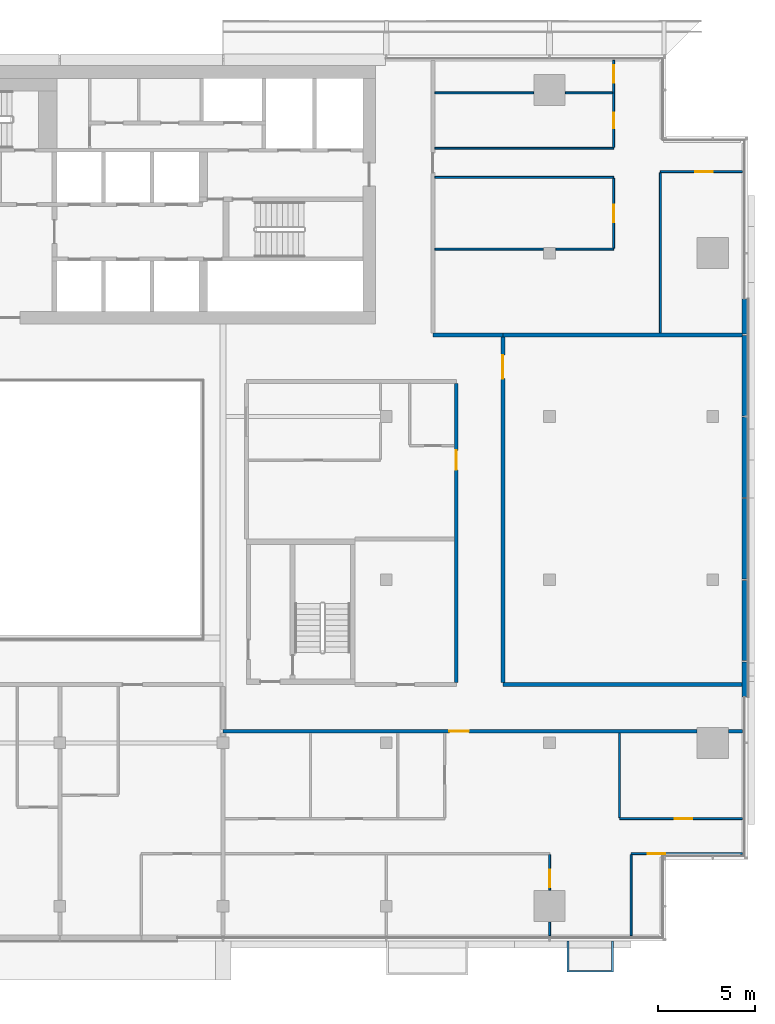
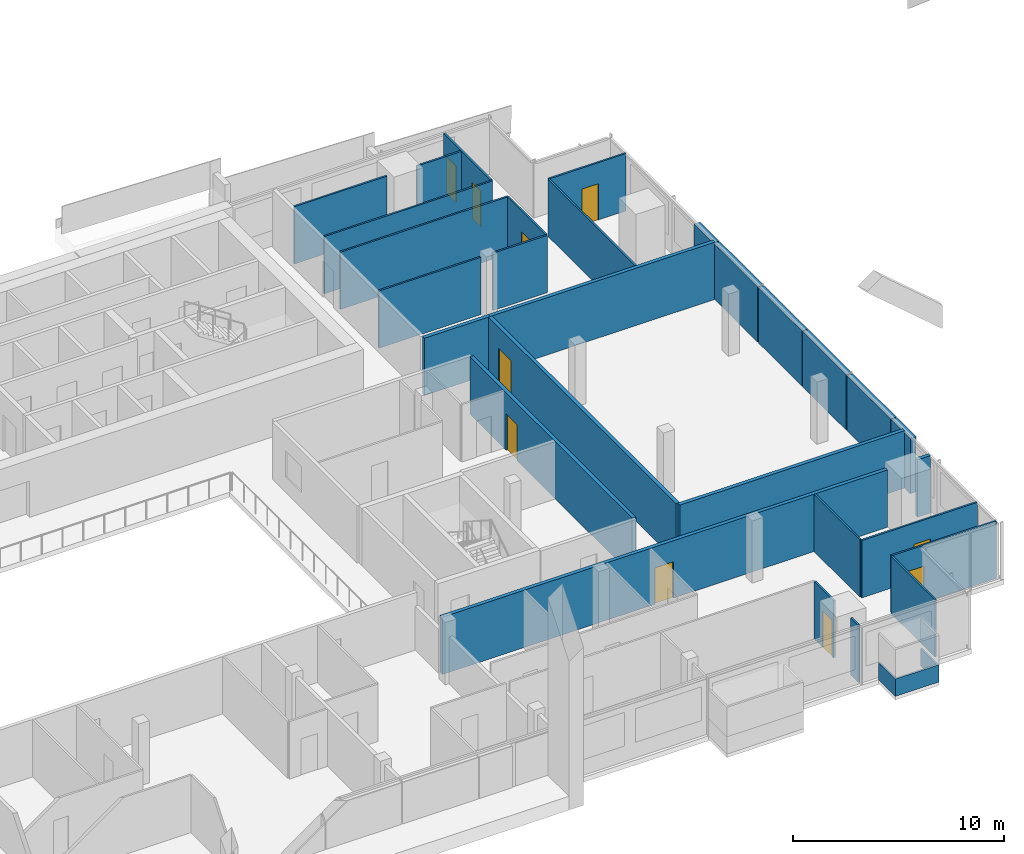
# One storey, part 25 of 31: 30 walls, 10 doors, 10 openings.
"""IFC4 building model written with IfcOpenShell, lengths in metres."""

from ifc_helpers import new_model, si_unit, direction, frame, frame_2d, origin, place, context, subcontext, project, spatial, polyline, rectangle, outline, extrude, material, layer, layer_set, type_object, element, fill, save


model = new_model("IFC4")

# Units and contexts
model_context = context("Model", 3, precision=1e-05, world=origin(), true_north=direction((0.0, 1.0)))
body_context = subcontext(model_context, "Body", "Model", "MODEL_VIEW")
ifc_project = project(units=[si_unit("LENGTHUNIT", "METRE"), si_unit("AREAUNIT", "SQUARE_METRE"), si_unit("VOLUMEUNIT", "CUBIC_METRE"), si_unit("PLANEANGLEUNIT", "RADIAN"), si_unit("MASSUNIT", "GRAM", prefix="KILO")], contexts=[model_context])

# Site, building, storey
site_placement = place(None, origin())
site = spatial("IfcSite", under=ifc_project, at=site_placement, CompositionType="ELEMENT")
building_placement = place(site_placement, origin())
building = spatial("IfcBuilding", under=site, at=building_placement, Name="Saffron Gate Tower", CompositionType="ELEMENT")
storey_placement = place(building_placement, frame((0.0, 0.0, 205.5)))
storey = spatial("IfcBuildingStorey", under=building, at=storey_placement, Name="L49", CompositionType="ELEMENT", Elevation=205.5)

# Wall, opening, door
ifc_material_1 = material(Name="Plasterboard on steel studs", Category="steel")
ifc_layer_1 = layer(ifc_material_1, 0.10009765625)
ifc_layer_set_1 = layer_set([ifc_layer_1], Name="PW1 Partition 100")
wall_type_1 = type_object("IfcWallType", Name="PW1 Partition 100", PredefinedType="PARTITIONING", material=ifc_layer_set_1)
wall_1_placement = place(storey_placement, frame((126.919921875, 34.5, 0.0), z_axis=(0.0, 0.0, 1.0), x_axis=(-1.0, 0.0, 0.0)))
wall_1 = element("IfcWall", 1, at=wall_1_placement, inside=storey, type_object=wall_type_1, Name="Partition D1-3", PredefinedType="PARTITIONING", context=body_context, shape_type="SweptSolid", body=[
    extrude(rectangle(XDim=5.719970703125, YDim=0.10009765625, at=frame_2d((2.85986328125, 0.0))), origin(), (0.0, 0.0, 1.0), 3.320068359375),
])
opening_1_placement = place(wall_1_placement, frame((3.96630859375, 0.0, 0.0)))
opening_1 = element("IfcOpeningElement", 2, at=opening_1_placement, cuts=wall_1, Name="Opening D1-21", PredefinedType="OPENING", context=body_context, shape_type="SweptSolid", body=[
    extrude(rectangle(XDim=0.89990234375, YDim=2.10009765625, at=frame_2d((0.449951171875, 1.050048828125))), frame((0.0, 0.06005859375, 0.0), z_axis=(0.0, -1.0, 0.0), x_axis=(1.0, 0.0, 0.0)), (0.0, 0.0, 1.0), 0.1201171875),
])
ifc_material_2 = material(Name="Timber door set", Category="wood")
door_type_1 = type_object("IfcDoorType", Name="RD1 Room door 900x2100", OperationType="NOTDEFINED", PredefinedType="DOOR", material=ifc_material_2)
door_1_placement = place(opening_1_placement, origin())
door_1 = element("IfcDoor", 3, at=door_1_placement, inside=storey, type_object=door_type_1, Name="Door D1-21", OperationType="SINGLE_SWING_RIGHT", OverallHeight=2.10009765625, OverallWidth=0.89990234375, PredefinedType="DOOR", context=body_context, shape_type="SweptSolid", body=[
    extrude(rectangle(XDim=0.89990234375, YDim=2.10009765625, at=frame_2d((0.449951171875, 1.050048828125))), frame((0.0, 0.02490234375, 0.0), z_axis=(0.0, -1.0, 0.0), x_axis=(1.0, 0.0, 0.0)), (0.0, 0.0, 1.0), 0.050048828125),
])
fill(opening_1, door_1)

wall_2_placement = place(storey_placement, frame((120.60009765625, 36.300048828125, 0.0), z_axis=(0.0, 0.0, 1.0), x_axis=(1.0, 0.0, 0.0)))
wall_2 = element("IfcWall", 4, at=wall_2_placement, inside=storey, type_object=wall_type_1, Name="Partition D1-8", PredefinedType="PARTITIONING", context=body_context, shape_type="SweptSolid", body=[
    extrude(rectangle(XDim=6.31982421875, YDim=0.10009765625, at=frame_2d((3.159912109375, 0.0))), origin(), (0.0, 0.0, 1.0), 3.320068359375),
])
opening_2_placement = place(wall_2_placement, frame((2.85009765625, 0.0, 0.0)))
opening_2 = element("IfcOpeningElement", 5, at=opening_2_placement, cuts=wall_2, Name="Opening D1-22", PredefinedType="OPENING", context=body_context, shape_type="SweptSolid", body=[
    extrude(rectangle(XDim=0.89990234375, YDim=2.10009765625, at=frame_2d((0.449951171875, 1.050048828125))), frame((0.0, 0.06005859375, 0.0), z_axis=(0.0, -1.0, 0.0), x_axis=(1.0, 0.0, 0.0)), (0.0, 0.0, 1.0), 0.1201171875),
])
door_2_placement = place(opening_2_placement, origin())
door_2 = element("IfcDoor", 6, at=door_2_placement, inside=storey, type_object=door_type_1, Name="Door D1-22", OperationType="SINGLE_SWING_RIGHT", OverallHeight=2.10009765625, OverallWidth=0.89990234375, PredefinedType="DOOR", context=body_context, shape_type="SweptSolid", body=[
    extrude(rectangle(XDim=0.89990234375, YDim=2.10009765625, at=frame_2d((0.449951171875, 1.050048828125))), frame((0.0, 0.02490234375, 0.0), z_axis=(0.0, -1.0, 0.0), x_axis=(1.0, 0.0, 0.0)), (0.0, 0.0, 1.0), 0.050048828125),
])
fill(opening_2, door_2)

# Walls
wall_3_placement = place(storey_placement, frame((111.10009765625, 65.608642578125, 0.0), z_axis=(0.0, 0.0, 1.0), x_axis=(1.0, 0.0, 0.0)))
element("IfcWall", 7, at=wall_3_placement, inside=storey, type_object=wall_type_1, Name="Partition D1-34", PredefinedType="PARTITIONING", context=body_context, shape_type="SweptSolid", body=[
    extrude(rectangle(XDim=5.579833984375, YDim=0.10009765625, at=frame_2d((2.7900390625, 0.0))), origin(), (0.0, 0.0, 1.0), 3.320068359375),
])
wall_4_placement = place(storey_placement, frame((117.320068359375, 65.608642578125, 0.0), z_axis=(0.0, 0.0, 1.0), x_axis=(1.0, 0.0, 0.0)))
element("IfcWall", 8, at=wall_4_placement, inside=storey, type_object=wall_type_1, Name="Partition D1-35", PredefinedType="PARTITIONING", context=body_context, shape_type="SweptSolid", body=[
    extrude(rectangle(XDim=2.97998046875, YDim=0.10009765625, at=frame_2d((1.489990234375, 0.0))), origin(), (0.0, 0.0, 1.0), 3.320068359375),
])
wall_5_placement = place(storey_placement, frame((111.10009765625, 69.300048828125, 0.0), z_axis=(0.0, 0.0, 1.0), x_axis=(1.0, 0.0, 0.0)))
element("IfcWall", 9, at=wall_5_placement, inside=storey, type_object=wall_type_1, Name="Partition D1-37", PredefinedType="PARTITIONING", context=body_context, shape_type="SweptSolid", body=[
    extrude(rectangle(XDim=9.199951171875, YDim=0.10009765625, at=frame_2d((4.60009765625, 0.0))), origin(), (0.0, 0.0, 1.0), 3.320068359375),
])

# Wall, opening, door
wall_6_placement = place(storey_placement, frame((126.919921875, 69.60009765625, 0.0), z_axis=(0.0, 0.0, 1.0), x_axis=(-1.0, 0.0, 0.0)))
wall_6 = element("IfcWall", 10, at=wall_6_placement, inside=storey, type_object=wall_type_1, Name="Partition D1-39", PredefinedType="PARTITIONING", context=body_context, shape_type="SweptSolid", body=[
    extrude(rectangle(XDim=4.219970703125, YDim=0.10009765625, at=frame_2d((2.10986328125, 0.0))), origin(), (0.0, 0.0, 1.0), 3.320068359375),
])
opening_3_placement = place(wall_6_placement, frame((1.52001953125, 0.0, 0.0)))
opening_3 = element("IfcOpeningElement", 11, at=opening_3_placement, cuts=wall_6, Name="Opening D1-27", PredefinedType="OPENING", context=body_context, shape_type="SweptSolid", body=[
    extrude(rectangle(XDim=0.89990234375, YDim=2.10009765625, at=frame_2d((0.449951171875, 1.050048828125))), frame((0.0, 0.06005859375, 0.0), z_axis=(0.0, -1.0, 0.0), x_axis=(1.0, 0.0, 0.0)), (0.0, 0.0, 1.0), 0.1201171875),
])
door_3_placement = place(opening_3_placement, origin())
door_3 = element("IfcDoor", 12, at=door_3_placement, inside=storey, type_object=door_type_1, Name="Door D1-27", OperationType="SINGLE_SWING_LEFT", OverallHeight=2.10009765625, OverallWidth=0.89990234375, PredefinedType="DOOR", context=body_context, shape_type="SweptSolid", body=[
    extrude(rectangle(XDim=0.89990234375, YDim=2.10009765625, at=frame_2d((0.449951171875, 1.050048828125))), frame((0.0, 0.02490234375, 0.0), z_axis=(0.0, -1.0, 0.0), x_axis=(1.0, 0.0, 0.0)), (0.0, 0.0, 1.0), 0.050048828125),
])
fill(opening_3, door_3)

# Walls
wall_7_placement = place(storey_placement, frame((111.10009765625, 70.800048828125, 0.0), z_axis=(0.0, 0.0, 1.0), x_axis=(1.0, 0.0, 0.0)))
element("IfcWall", 13, at=wall_7_placement, inside=storey, type_object=wall_type_1, Name="Partition D1-40", PredefinedType="PARTITIONING", context=body_context, shape_type="SweptSolid", body=[
    extrude(rectangle(XDim=9.199951171875, YDim=0.10009765625, at=frame_2d((4.60009765625, 0.0))), origin(), (0.0, 0.0, 1.0), 3.320068359375),
])
wall_8_placement = place(storey_placement, frame((111.10009765625, 73.6494140625, 0.0), z_axis=(0.0, 0.0, 1.0), x_axis=(1.0, 0.0, 0.0)))
element("IfcWall", 14, at=wall_8_placement, inside=storey, type_object=wall_type_1, Name="Partition D1-43", PredefinedType="PARTITIONING", context=body_context, shape_type="SweptSolid", body=[
    extrude(rectangle(XDim=5.079833984375, YDim=0.10009765625, at=frame_2d((2.5400390625, 0.0))), origin(), (0.0, 0.0, 1.0), 3.320068359375),
])
wall_9_placement = place(storey_placement, frame((117.820068359375, 73.6494140625, 0.0), z_axis=(0.0, 0.0, 1.0), x_axis=(1.0, 0.0, 0.0)))
element("IfcWall", 15, at=wall_9_placement, inside=storey, type_object=wall_type_1, Name="Partition D1-44", PredefinedType="PARTITIONING", context=body_context, shape_type="SweptSolid", body=[
    extrude(rectangle(XDim=2.429931640625, YDim=0.10009765625, at=frame_2d((1.21484375, 0.0))), origin(), (0.0, 0.0, 1.0), 3.320068359375),
])
wall_10_placement = place(storey_placement, frame((117.0, 30.97998046875, 0.0), z_axis=(0.0, 0.0, 1.0), x_axis=(0.0, -1.0, 0.0)))
element("IfcWall", 16, at=wall_10_placement, inside=storey, type_object=wall_type_1, Name="Partition D1-94", PredefinedType="PARTITIONING", context=body_context, shape_type="SweptSolid", body=[
    extrude(rectangle(XDim=0.699951171875, YDim=0.10009765625, at=frame_2d((0.35009765625, 0.0))), origin(), (0.0, 0.0, 1.0), 3.320068359375),
])

# Wall, opening, door
wall_11_placement = place(storey_placement, frame((117.0, 32.6201171875, 0.0), z_axis=(0.0, 0.0, 1.0), x_axis=(0.0, 1.0, 0.0)))
wall_11 = element("IfcWall", 17, at=wall_11_placement, inside=storey, type_object=wall_type_1, Name="Partition D1-95", PredefinedType="PARTITIONING", context=body_context, shape_type="SweptSolid", body=[
    extrude(rectangle(XDim=1.829833984375, YDim=0.10009765625, at=frame_2d((0.9150390625, 0.0))), origin(), (0.0, 0.0, 1.0), 3.320068359375),
])
opening_4_placement = place(wall_11_placement, frame((0.14990234375, 0.0, 0.0)))
opening_4 = element("IfcOpeningElement", 18, at=opening_4_placement, cuts=wall_11, Name="Opening D1-20", PredefinedType="OPENING", context=body_context, shape_type="SweptSolid", body=[
    extrude(rectangle(XDim=0.89990234375, YDim=2.10009765625, at=frame_2d((0.449951171875, 1.050048828125))), frame((0.0, 0.06005859375, 0.0), z_axis=(0.0, -1.0, 0.0), x_axis=(1.0, 0.0, 0.0)), (0.0, 0.0, 1.0), 0.1201171875),
])
door_4_placement = place(opening_4_placement, origin())
door_4 = element("IfcDoor", 19, at=door_4_placement, inside=storey, type_object=door_type_1, Name="Door D1-20", OperationType="SINGLE_SWING_LEFT", OverallHeight=2.10009765625, OverallWidth=0.89990234375, PredefinedType="DOOR", context=body_context, shape_type="SweptSolid", body=[
    extrude(rectangle(XDim=0.89990234375, YDim=2.10009765625, at=frame_2d((0.449951171875, 1.050048828125))), frame((0.0, 0.02490234375, 0.0), z_axis=(0.0, -1.0, 0.0), x_axis=(1.0, 0.0, 0.0)), (0.0, 0.0, 1.0), 0.050048828125),
])
fill(opening_4, door_4)

wall_12_placement = place(storey_placement, frame((120.300048828125, 65.65869140625, 0.0), z_axis=(0.0, 0.0, 1.0), x_axis=(0.0, 1.0, 0.0)))
wall_12 = element("IfcWall", 20, at=wall_12_placement, inside=storey, type_object=wall_type_1, Name="Partition D1-96", PredefinedType="PARTITIONING", context=body_context, shape_type="SweptSolid", body=[
    extrude(rectangle(XDim=3.59130859375, YDim=0.10009765625, at=frame_2d((1.795654296875, 0.0))), origin(), (0.0, 0.0, 1.0), 3.320068359375),
])
opening_5_placement = place(wall_12_placement, frame((1.345703125, 0.0, 0.0)))
opening_5 = element("IfcOpeningElement", 21, at=opening_5_placement, cuts=wall_12, Name="Opening D1-28", PredefinedType="OPENING", context=body_context, shape_type="SweptSolid", body=[
    extrude(rectangle(XDim=0.89990234375, YDim=2.10009765625, at=frame_2d((0.449951171875, 1.050048828125))), frame((0.0, 0.06005859375, 0.0), z_axis=(0.0, -1.0, 0.0), x_axis=(1.0, 0.0, 0.0)), (0.0, 0.0, 1.0), 0.1201171875),
])
door_5_placement = place(opening_5_placement, origin())
door_5 = element("IfcDoor", 22, at=door_5_placement, inside=storey, type_object=door_type_1, Name="Door D1-28", OperationType="SINGLE_SWING_RIGHT", OverallHeight=2.10009765625, OverallWidth=0.89990234375, PredefinedType="DOOR", context=body_context, shape_type="SweptSolid", body=[
    extrude(rectangle(XDim=0.89990234375, YDim=2.10009765625, at=frame_2d((0.449951171875, 1.050048828125))), frame((0.0, 0.02490234375, 0.0), z_axis=(0.0, -1.0, 0.0), x_axis=(1.0, 0.0, 0.0)), (0.0, 0.0, 1.0), 0.050048828125),
])
fill(opening_5, door_5)

# Wall, openings, doors
wall_13_placement = place(storey_placement, frame((120.300048828125, 70.85009765625, 0.0), z_axis=(0.0, 0.0, 1.0), x_axis=(0.0, 1.0, 0.0)))
wall_13 = element("IfcWall", 23, at=wall_13_placement, inside=storey, type_object=wall_type_1, Name="Partition D1-97", PredefinedType="PARTITIONING", context=body_context, shape_type="SweptSolid", body=[
    extrude(rectangle(XDim=4.469970703125, YDim=0.10009765625, at=frame_2d((2.23486328125, 0.0))), origin(), (0.0, 0.0, 1.0), 3.320068359375),
])
opening_6_placement = place(wall_13_placement, frame((0.974609375, 0.0, 0.0)))
opening_6 = element("IfcOpeningElement", 24, at=opening_6_placement, cuts=wall_13, Name="Opening D1-39", PredefinedType="OPENING", context=body_context, shape_type="SweptSolid", body=[
    extrude(rectangle(XDim=0.800048828125, YDim=2.10009765625, at=frame_2d((0.39990234375, 1.050048828125))), frame((0.0, 0.06005859375, 0.0), z_axis=(0.0, -1.0, 0.0), x_axis=(1.0, 0.0, 0.0)), (0.0, 0.0, 1.0), 0.1201171875),
])
opening_7_placement = place(wall_13_placement, frame((3.32470703125, 0.0, 0.0)))
opening_7 = element("IfcOpeningElement", 25, at=opening_7_placement, cuts=wall_13, Name="Opening D1-29", PredefinedType="OPENING", context=body_context, shape_type="SweptSolid", body=[
    extrude(rectangle(XDim=0.89990234375, YDim=2.10009765625, at=frame_2d((0.449951171875, 1.050048828125))), frame((0.0, 0.06005859375, 0.0), z_axis=(0.0, -1.0, 0.0), x_axis=(1.0, 0.0, 0.0)), (0.0, 0.0, 1.0), 0.1201171875),
])
door_6_placement = place(opening_7_placement, origin())
door_6 = element("IfcDoor", 26, at=door_6_placement, inside=storey, type_object=door_type_1, Name="Door D1-29", OperationType="SINGLE_SWING_RIGHT", OverallHeight=2.10009765625, OverallWidth=0.89990234375, PredefinedType="DOOR", context=body_context, shape_type="SweptSolid", body=[
    extrude(rectangle(XDim=0.89990234375, YDim=2.10009765625, at=frame_2d((0.449951171875, 1.050048828125))), frame((0.0, 0.02490234375, 0.0), z_axis=(0.0, -1.0, 0.0), x_axis=(1.0, 0.0, 0.0)), (0.0, 0.0, 1.0), 0.050048828125),
])
fill(opening_7, door_6)
door_type_2 = type_object("IfcDoorType", Name="RD2 Bathroom door 800x2100", OperationType="NOTDEFINED", PredefinedType="DOOR", material=ifc_material_2)
door_7_placement = place(opening_6_placement, origin())
door_7 = element("IfcDoor", 27, at=door_7_placement, inside=storey, type_object=door_type_2, Name="Door D1-39", OperationType="SINGLE_SWING_LEFT", OverallHeight=2.10009765625, OverallWidth=0.800048828125, PredefinedType="DOOR", context=body_context, shape_type="SweptSolid", body=[
    extrude(rectangle(XDim=0.800048828125, YDim=2.10009765625, at=frame_2d((0.39990234375, 1.050048828125))), frame((0.0, 0.02490234375, 0.0), z_axis=(0.0, -1.0, 0.0), x_axis=(1.0, 0.0, 0.0)), (0.0, 0.0, 1.0), 0.050048828125),
])
fill(opening_6, door_7)

# Walls
wall_14_placement = place(storey_placement, frame((120.60009765625, 40.699951171875, 0.0), z_axis=(0.0, 0.0, 1.0), x_axis=(0.0, -1.0, 0.0)))
element("IfcWall", 28, at=wall_14_placement, inside=storey, type_object=wall_type_1, Name="Partition D1-98", PredefinedType="PARTITIONING", context=body_context, shape_type="SweptSolid", body=[
    extrude(rectangle(XDim=4.349853515625, YDim=0.10009765625, at=frame_2d((2.1748046875, 0.0))), origin(), (0.0, 0.0, 1.0), 3.320068359375),
])
wall_15_placement = place(storey_placement, frame((121.199951171875, 34.449951171875, 0.0), z_axis=(0.0, 0.0, 1.0), x_axis=(0.0, -1.0, 0.0)))
element("IfcWall", 29, at=wall_15_placement, inside=storey, type_object=wall_type_1, Name="Partition D1-99", PredefinedType="PARTITIONING", context=body_context, shape_type="SweptSolid", body=[
    extrude(rectangle(XDim=4.169921875, YDim=0.10009765625, at=frame_2d((2.0849609375, 0.0))), origin(), (0.0, 0.0, 1.0), 3.320068359375),
])
wall_16_placement = place(storey_placement, frame((122.699951171875, 69.550048828125, 0.0), z_axis=(0.0, 0.0, 1.0), x_axis=(0.0, -1.0, 0.0)))
element("IfcWall", 30, at=wall_16_placement, inside=storey, type_object=wall_type_1, Name="Partition D1-100", PredefinedType="PARTITIONING", context=body_context, shape_type="SweptSolid", body=[
    extrude(rectangle(XDim=8.25, YDim=0.10009765625, at=frame_2d((4.125, 0.0))), origin(), (0.0, 0.0, 1.0), 3.320068359375),
])

# Wall, opening, door
ifc_material_3 = material(Name="Clay brick masonry, rendered", Category="masonry")
ifc_layer_2 = layer(ifc_material_3, 0.199951171875)
ifc_layer_set_2 = layer_set([ifc_layer_2], Name="PW3 Corridor wall 200")
wall_type_2 = type_object("IfcWallType", Name="PW3 Corridor wall 200", PredefinedType="PARTITIONING", material=ifc_layer_set_2)
wall_17_placement = place(storey_placement, frame((124.580078125, 40.800048828125, 0.0), z_axis=(0.0, 0.0, 1.0), x_axis=(-1.0, 0.0, 0.0)))
wall_17 = element("IfcWall", 31, at=wall_17_placement, inside=storey, type_object=wall_type_2, Name="Wall D1-14", PredefinedType="PARTITIONING", context=body_context, shape_type="SweptSolid", body=[
    extrude(rectangle(XDim=24.380126953125, YDim=0.199951171875, at=frame_2d((12.18994140625, 0.0))), origin(), (0.0, 0.0, 1.0), 3.320068359375),
])
opening_8_placement = place(wall_17_placement, frame((11.72998046875, 0.0, 0.0)))
opening_8 = element("IfcOpeningElement", 32, at=opening_8_placement, cuts=wall_17, Name="Opening D1-4", PredefinedType="OPENING", context=body_context, shape_type="SweptSolid", body=[
    extrude(rectangle(XDim=1.0, YDim=2.10009765625, at=frame_2d((0.5, 1.050048828125))), frame((0.0, 0.10986328125, 0.0), z_axis=(0.0, -1.0, 0.0), x_axis=(1.0, 0.0, 0.0)), (0.0, 0.0, 1.0), 0.219970703125),
])
ifc_material_4 = material(Name="Timber fire door set", Category="wood")
door_type_3 = type_object("IfcDoorType", Name="FD1 Flat entry door 1000x2100", OperationType="NOTDEFINED", PredefinedType="DOOR", material=ifc_material_4)
door_8_placement = place(opening_8_placement, origin())
door_8 = element("IfcDoor", 33, at=door_8_placement, inside=storey, type_object=door_type_3, Name="Door D1-4", OperationType="SINGLE_SWING_RIGHT", OverallHeight=2.10009765625, OverallWidth=1.0, PredefinedType="DOOR", context=body_context, shape_type="SweptSolid", body=[
    extrude(rectangle(XDim=1.0, YDim=2.10009765625, at=frame_2d((0.5, 1.050048828125))), frame((0.0, 0.02490234375, 0.0), z_axis=(0.0, -1.0, 0.0), x_axis=(1.0, 0.0, 0.0)), (0.0, 0.0, 1.0), 0.050048828125),
])
fill(opening_8, door_8)

# Walls
wall_18_placement = place(storey_placement, frame((126.219970703125, 40.800048828125, 0.0), z_axis=(0.0, 0.0, 1.0), x_axis=(1.0, 0.0, 0.0)))
element("IfcWall", 34, at=wall_18_placement, inside=storey, type_object=wall_type_2, Name="Wall D1-15", PredefinedType="PARTITIONING", context=body_context, shape_type="SweptSolid", body=[
    extrude(rectangle(XDim=0.699951171875, YDim=0.199951171875, at=frame_2d((0.35009765625, 0.0))), origin(), (0.0, 0.0, 1.0), 3.320068359375),
])
wall_19_placement = place(storey_placement, frame((114.60009765625, 43.199951171875, 0.0), z_axis=(0.0, 0.0, 1.0), x_axis=(1.0, 0.0, 0.0)))
element("IfcWall", 35, at=wall_19_placement, inside=storey, type_object=wall_type_2, Name="Wall D1-20", PredefinedType="PARTITIONING", context=body_context, shape_type="SweptSolid", body=[
    extrude(rectangle(XDim=12.31982421875, YDim=0.199951171875, at=frame_2d((6.159912109375, 0.0))), origin(), (0.0, 0.0, 1.0), 3.320068359375),
])
wall_20_placement = place(storey_placement, frame((111.0, 61.199951171875, 0.0), z_axis=(0.0, 0.0, 1.0), x_axis=(1.0, 0.0, 0.0)))
element("IfcWall", 36, at=wall_20_placement, inside=storey, type_object=wall_type_2, Name="Wall D1-30", PredefinedType="PARTITIONING", context=body_context, shape_type="SweptSolid", body=[
    extrude(rectangle(XDim=3.60009765625, YDim=0.199951171875, at=frame_2d((1.800048828125, 0.0))), origin(), (0.0, 0.0, 1.0), 3.320068359375),
])

# Wall, opening, door
wall_21_placement = place(storey_placement, frame((112.199951171875, 43.300048828125, 0.0), z_axis=(0.0, 0.0, 1.0), x_axis=(0.0, 1.0, 0.0)))
wall_21 = element("IfcWall", 37, at=wall_21_placement, inside=storey, type_object=wall_type_2, Name="Wall D1-92", PredefinedType="PARTITIONING", context=body_context, shape_type="SweptSolid", body=[
    extrude(rectangle(XDim=15.39990234375, YDim=0.199951171875, at=frame_2d((7.699951171875, 0.0))), origin(), (0.0, 0.0, 1.0), 3.320068359375),
])
opening_9_placement = place(wall_21_placement, frame((10.949951171875, 0.0, 0.0)))
opening_9 = element("IfcOpeningElement", 38, at=opening_9_placement, cuts=wall_21, Name="Opening D1-8", PredefinedType="OPENING", context=body_context, shape_type="SweptSolid", body=[
    extrude(rectangle(XDim=1.0, YDim=2.10009765625, at=frame_2d((0.5, 1.050048828125))), frame((0.0, 0.10986328125, 0.0), z_axis=(0.0, -1.0, 0.0), x_axis=(1.0, 0.0, 0.0)), (0.0, 0.0, 1.0), 0.219970703125),
])
door_9_placement = place(opening_9_placement, origin())
door_9 = element("IfcDoor", 39, at=door_9_placement, inside=storey, type_object=door_type_3, Name="Door D1-8", OperationType="SINGLE_SWING_RIGHT", OverallHeight=2.10009765625, OverallWidth=1.0, PredefinedType="DOOR", context=body_context, shape_type="SweptSolid", body=[
    extrude(rectangle(XDim=1.0, YDim=2.10009765625, at=frame_2d((0.5, 1.050048828125))), frame((0.0, 0.02490234375, 0.0), z_axis=(0.0, -1.0, 0.0), x_axis=(1.0, 0.0, 0.0)), (0.0, 0.0, 1.0), 0.050048828125),
])
fill(opening_9, door_9)

wall_22_placement = place(storey_placement, frame((114.60009765625, 61.10009765625, 0.0), z_axis=(0.0, 0.0, 1.0), x_axis=(0.0, -1.0, 0.0)))
wall_22 = element("IfcWall", 40, at=wall_22_placement, inside=storey, type_object=wall_type_2, Name="Wall D1-93", PredefinedType="PARTITIONING", context=body_context, shape_type="SweptSolid", body=[
    extrude(rectangle(XDim=17.800048828125, YDim=0.199951171875, at=frame_2d((8.89990234375, 0.0))), origin(), (0.0, 0.0, 1.0), 3.320068359375),
])
opening_10_placement = place(wall_22_placement, frame((0.949951171875, 0.0, 0.0)))
opening_10 = element("IfcOpeningElement", 41, at=opening_10_placement, cuts=wall_22, Name="Opening D1-44", PredefinedType="OPENING", context=body_context, shape_type="SweptSolid", body=[
    extrude(rectangle(XDim=1.199951171875, YDim=2.10009765625, at=frame_2d((0.60009765625, 1.050048828125))), frame((0.0, 0.10986328125, 0.0), z_axis=(0.0, -1.0, 0.0), x_axis=(1.0, 0.0, 0.0)), (0.0, 0.0, 1.0), 0.219970703125),
])
door_type_4 = type_object("IfcDoorType", Name="HD1 Hall door 1200x2100", OperationType="NOTDEFINED", PredefinedType="DOOR", material=ifc_material_2)
door_10_placement = place(opening_10_placement, origin())
door_10 = element("IfcDoor", 42, at=door_10_placement, inside=storey, type_object=door_type_4, Name="Door D1-44", OperationType="SINGLE_SWING_RIGHT", OverallHeight=2.10009765625, OverallWidth=1.199951171875, PredefinedType="DOOR", context=body_context, shape_type="SweptSolid", body=[
    extrude(rectangle(XDim=1.199951171875, YDim=2.10009765625, at=frame_2d((0.60009765625, 1.050048828125))), frame((0.0, 0.02490234375, 0.0), z_axis=(0.0, -1.0, 0.0), x_axis=(1.0, 0.0, 0.0)), (0.0, 0.0, 1.0), 0.050048828125),
])
fill(opening_10, door_10)

# Walls
ifc_layer_3 = layer(ifc_material_3, 0.199951171875)
ifc_layer_set_3 = layer_set([ifc_layer_3], Name="PW5 Room wall 200")
wall_type_3 = type_object("IfcWallType", Name="PW5 Room wall 200", PredefinedType="PARTITIONING", material=ifc_layer_set_3)
wall_23_placement = place(storey_placement, frame((114.60009765625, 61.199951171875, 0.0), z_axis=(0.0, 0.0, 1.0), x_axis=(1.0, 0.0, 0.0)))
element("IfcWall", 43, at=wall_23_placement, inside=storey, type_object=wall_type_3, Name="Wall D1-32", PredefinedType="PARTITIONING", context=body_context, shape_type="SweptSolid", body=[
    extrude(rectangle(XDim=12.31982421875, YDim=0.199951171875, at=frame_2d((6.159912109375, 0.0))), origin(), (0.0, 0.0, 1.0), 3.320068359375),
])
ifc_material_5 = material(Name="Rendered insulated panel, white")
ifc_layer_4 = layer(ifc_material_5, 0.10009765625)
ifc_layer_set_4 = layer_set([ifc_layer_4], Name="WB3 box parapet white")
wall_type_4 = type_object("IfcWallType", Name="WB3 box parapet white", PredefinedType="SOLIDWALL", material=ifc_layer_set_4)
wall_24_placement = place(storey_placement, origin())
element("IfcWall", 44, at=wall_24_placement, inside=storey, type_object=wall_type_4, Name="WINDOW BOX parapet", PredefinedType="SOLIDWALL", context=body_context, shape_type="SweptSolid", body=[
    extrude(outline(polyline([(117.89990234375, 30.0), (118.0, 30.0), (118.0, 28.5), (120.199951171875, 28.5), (120.199951171875, 30.0), (120.300048828125, 30.0), (120.300048828125, 28.39990234375), (117.89990234375, 28.39990234375), (117.89990234375, 30.0)])), origin(), (0.0, 0.0, 1.0), 1.0),
])
ifc_material_6 = material(Name="Reinforced concrete C40/50 with mineral wool insulation", Category="concrete")
ifc_layer_5 = layer(ifc_material_6, 0.30810546875)
ifc_layer_set_5 = layer_set([ifc_layer_5], Name="WBAY3 arch bay insulated wall")
wall_type_5 = type_object("IfcWallType", Name="WBAY3 arch bay insulated wall", PredefinedType="SOLIDWALL", material=ifc_layer_set_5)
wall_25_placement = place(storey_placement, frame((127.0458984375, 44.3701171875, 0.0), z_axis=(0.0, 0.0, 1.0), x_axis=(0.0, -1.0, 0.0)))
element("IfcWall", 45, at=wall_25_placement, inside=storey, type_object=wall_type_5, Name="ARCH BAY wall", PredefinedType="SOLIDWALL", context=body_context, shape_type="SweptSolid", body=[
    extrude(rectangle(XDim=1.8193359375, YDim=0.30810546875, at=frame_2d((0.90966796875, 0.0))), origin(), (0.0, 0.0, 1.0), 3.199951171875),
])
for number, where, z_axis, x_axis, name in (
    (46, (127.0458984375, 48.570068359375, 0.0), (0.0, 0.0, 1.0), (0.0, -1.0, 0.0), "ARCH BAY wall"),
    (47, (127.0458984375, 52.77001953125, 0.0), (0.0, 0.0, 1.0), (0.0, -1.0, 0.0), "ARCH BAY wall"),
):
    element("IfcWall", number, at=place(storey_placement, frame(where, z_axis=z_axis, x_axis=x_axis)), inside=storey, type_object=wall_type_5, Name=name, PredefinedType="SOLIDWALL", context=body_context, shape_type="SweptSolid", body=[
        extrude(rectangle(XDim=4.14013671875, YDim=0.30810546875, at=frame_2d((2.070068359375, 0.0))), origin(), (0.0, 0.0, 1.0), 3.199951171875),
    ])
for number, where, z_axis, x_axis, name in (
    (48, (127.0458984375, 56.969970703125, 0.0), (0.0, 0.0, 1.0), (0.0, -1.0, 0.0), "ARCH BAY wall"),
    (49, (127.0458984375, 61.169921875, 0.0), (0.0, 0.0, 1.0), (0.0, -1.0, 0.0), "ARCH BAY wall"),
):
    element("IfcWall", number, at=place(storey_placement, frame(where, z_axis=z_axis, x_axis=x_axis)), inside=storey, type_object=wall_type_5, Name=name, PredefinedType="SOLIDWALL", context=body_context, shape_type="SweptSolid", body=[
        extrude(rectangle(XDim=4.139892578125, YDim=0.30810546875, at=frame_2d((2.06982421875, 0.0))), origin(), (0.0, 0.0, 1.0), 3.199951171875),
    ])
wall_26_placement = place(storey_placement, frame((127.0458984375, 63.04931640625, 0.0), z_axis=(0.0, 0.0, 1.0), x_axis=(0.0, -1.0, 0.0)))
element("IfcWall", 50, at=wall_26_placement, inside=storey, type_object=wall_type_5, Name="ARCH BAY wall", PredefinedType="SOLIDWALL", context=body_context, shape_type="SweptSolid", body=[
    extrude(rectangle(XDim=1.8193359375, YDim=0.30810546875, at=frame_2d((0.90966796875, 0.0))), origin(), (0.0, 0.0, 1.0), 3.199951171875),
])

save(model, "model.ifc")
